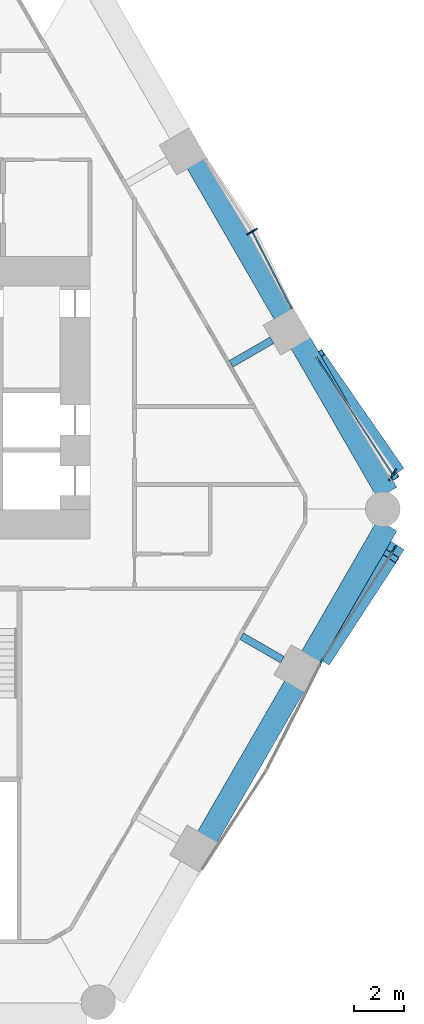
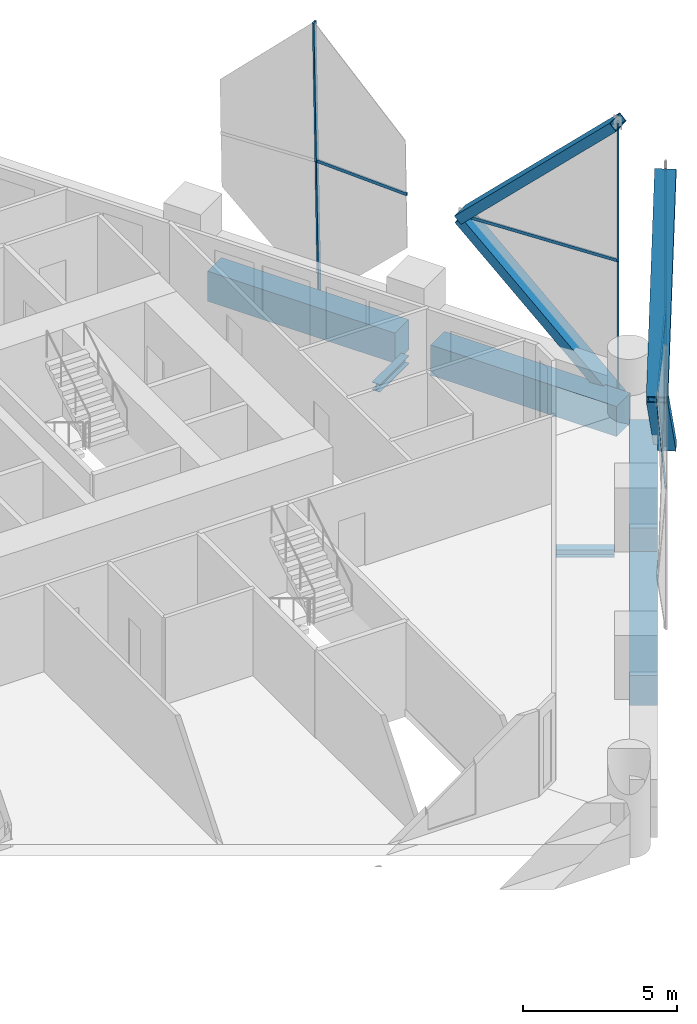
# One storey, part 6 of 16: 14 members, 6 beams, 4 elements without a shape of their own.
"""IFC4 building model written with IfcOpenShell, lengths in metres."""

import ifcopenshell
import ifcopenshell.guid

model = None  # the IFC model being written
_history = None  # IfcOwnerHistory: only IFC2X3 demands one
_inside = {}  # id of a spatial element -> (the spatial element, [elements in it])
_under = {}  # id of a project, library or spatial element -> (it, [spatial elements below it])
_declared = {}  # id of a project -> (the project, [libraries it declares])
_typed = {}  # id of a type object -> (the type object, [elements of that type])
_made_of = {}  # id of a material, layer set ... -> (it, [elements and type objects made of it])


def new_model(schema):
    """Start an empty IFC model of exactly this schema.

    Asked for "IFC4X3", IfcOpenShell would pick the latest addendum, in which some entities
    have other attributes; the version numbers below select the first issue.
    IFC2X3 requires an IfcOwnerHistory on every rooted entity: one is made here for all.
    """
    global model, _history
    if schema == "IFC4X3":
        model = ifcopenshell.file(schema_version=(4, 3, 0, 0))
    else:
        model = ifcopenshell.file(schema=schema)
    _inside.clear()
    _under.clear()
    _declared.clear()
    _typed.clear()
    _made_of.clear()
    _history = None
    if model.schema == "IFC2X3":
        org = make("IfcOrganization", Name="unknown")
        user = make(
            "IfcPersonAndOrganization",
            ThePerson=make("IfcPerson", FamilyName="unknown"),
            TheOrganization=org,
        )
        app = make(
            "IfcApplication",
            ApplicationDeveloper=org,
            Version="unknown",
            ApplicationFullName="unknown",
            ApplicationIdentifier="unknown",
        )
        _history = make(
            "IfcOwnerHistory",
            OwningUser=user,
            OwningApplication=app,
            ChangeAction="ADDED",
            CreationDate=0,
        )
    return model


def make(cls, **values):
    """One entity of the class cls with the attributes given. An attribute that is None is left unset."""
    return model.create_entity(
        cls, **{name: value for name, value in values.items() if value is not None}
    )


def rooted(cls, **values):
    """An entity with a GlobalId (a new one), such as an element, a storey or a relation."""
    return make(cls, GlobalId=ifcopenshell.guid.new(), OwnerHistory=_history, **values)


def si_unit(unit_type, name, prefix=None):
    """IfcSIUnit, for example si_unit("LENGTHUNIT", "METRE", prefix="MILLI")."""
    return make("IfcSIUnit", UnitType=unit_type, Prefix=prefix, Name=name)


def assignment(units):
    """IfcUnitAssignment: the units of a project."""
    return None if units is None else make("IfcUnitAssignment", Units=units)


def point(xyz):
    """IfcCartesianPoint."""
    return None if xyz is None else make("IfcCartesianPoint", Coordinates=xyz)


def direction(xyz):
    """IfcDirection."""
    return None if xyz is None else make("IfcDirection", DirectionRatios=xyz)


def frame(location, z_axis=None, x_axis=None):
    """IfcAxis2Placement3D, a coordinate frame: its origin and axes. An axis left out is left unset."""
    return make(
        "IfcAxis2Placement3D",
        Location=point(location),
        Axis=direction(z_axis),
        RefDirection=direction(x_axis),
    )


def frame_2d(location, x_axis=None):
    """IfcAxis2Placement2D, a coordinate frame in the plane: its origin and x axis."""
    return make(
        "IfcAxis2Placement2D", Location=point(location), RefDirection=direction(x_axis)
    )


def origin():
    """The frame at (0, 0, 0) with its axes left unset."""
    return frame((0.0, 0.0, 0.0))


def origin_2d():
    """The frame at (0, 0) in the plane with its x axis left unset."""
    return frame_2d((0.0, 0.0))


def place(relative_to, where):
    """IfcLocalPlacement: puts the frame where relative to a parent placement (None: the world)."""
    return make(
        "IfcLocalPlacement", PlacementRelTo=relative_to, RelativePlacement=where
    )


def context(
    kind, dimensions, precision=None, world=None, true_north=None, identifier=None
):
    """IfcGeometricRepresentationContext, for example the 3D "Model" context."""
    return make(
        "IfcGeometricRepresentationContext",
        ContextIdentifier=identifier,
        ContextType=kind,
        CoordinateSpaceDimension=dimensions,
        Precision=precision,
        WorldCoordinateSystem=world,
        TrueNorth=true_north,
    )


def subcontext(parent, identifier, kind, view, scale=None):
    """IfcGeometricRepresentationSubContext, for example "Body" below "Model"."""
    return make(
        "IfcGeometricRepresentationSubContext",
        ContextIdentifier=identifier,
        ContextType=kind,
        ParentContext=parent,
        TargetScale=scale,
        TargetView=view,
    )


def project(units=None, contexts=None):
    """IfcProject with its units and contexts."""
    return rooted(
        "IfcProject",
        Name="project",
        RepresentationContexts=contexts,
        UnitsInContext=assignment(units),
    )


def spatial(cls, under=None, at=None, **own):
    """A site, building, storey or space (cls), placed at a placement, below another one or the project."""
    s = rooted(cls, ObjectPlacement=at, **own)
    if under is not None:
        _under.setdefault(under.id(), (under, []))[1].append(s)
    return s


def profile(cls, at=None, kind="AREA", **sizes):
    """A parametric profile (cls). Its sizes go by their IFC names, for example OverallWidth=200.0."""
    return make(cls, ProfileType=kind, Position=at, **sizes)


def rectangle(**sizes):
    """IfcRectangleProfileDef."""
    return profile("IfcRectangleProfileDef", **sizes)


def hollow_rectangle(**sizes):
    """IfcRectangleHollowProfileDef."""
    return profile("IfcRectangleHollowProfileDef", **sizes)


def i_section(**sizes):
    """IfcIShapeProfileDef."""
    return profile("IfcIShapeProfileDef", **sizes)


def extrude(swept, where, along, depth):
    """IfcExtrudedAreaSolid: the profile swept, set in the frame where, extruded along a direction by depth."""
    return make(
        "IfcExtrudedAreaSolid",
        SweptArea=swept,
        Position=where,
        ExtrudedDirection=direction(along),
        Depth=depth,
    )


def shape(context_of_items, identifier, shape_type, items):
    """IfcShapeRepresentation: the items that make up one representation, for example the "Body"."""
    return make(
        "IfcShapeRepresentation",
        ContextOfItems=context_of_items,
        RepresentationIdentifier=identifier,
        RepresentationType=shape_type,
        Items=items,
    )


def material(Name=None, Category=None):
    """IfcMaterial."""
    return make("IfcMaterial", Name=Name, Category=Category)


def material_profile(
    of_material, cross_section, Name=None, Category=None, Priority=None
):
    """IfcMaterialProfile: a cross section and its material."""
    return make(
        "IfcMaterialProfile",
        Name=Name,
        Material=of_material,
        Profile=cross_section,
        Priority=Priority,
        Category=Category,
    )


def profile_set(profiles, Name=None, composite=None):
    """IfcMaterialProfileSet."""
    return make(
        "IfcMaterialProfileSet",
        Name=Name,
        MaterialProfiles=profiles,
        CompositeProfile=composite,
    )


def made_of(thing, what):
    """Note that an element or type object is made of a material, layer set ...; save() writes the relation."""
    if what is not None:
        _made_of.setdefault(what.id(), (what, []))[1].append(thing)
    return thing


def type_object(cls, material=None, **own):
    """A type object (cls), such as IfcWallType, which elements share."""
    return made_of(rooted(cls, **own), material)


def element(
    cls,
    number,
    at=None,
    inside=None,
    cuts=None,
    type_object=None,
    material=None,
    context=None,
    identifier="Body",
    shape_type=None,
    held_by="IfcProductDefinitionShape",
    body=None,
    shapes=None,
    **own,
):
    """One element of the class cls, such as IfcWall. Its Tag is "e" and its number.

    at: its placement. inside: the storey or other place that contains it. cuts: it is an
    opening in that element (IfcRelVoidsElement). A single representation is given by context,
    identifier, shape_type and body (its items); several are given by shapes. held_by: the class
    of the entity that holds the representations. save() writes the other relations.
    """
    e = rooted(cls, Tag="e%d" % number, ObjectPlacement=at, **own)
    if body is not None:
        shapes = [shape(context, identifier, shape_type, body)]
    if shapes is not None:
        e.Representation = make(held_by, Representations=shapes)
    if inside is not None:
        _inside.setdefault(inside.id(), (inside, []))[1].append(e)
    if cuts is not None:
        rooted(
            "IfcRelVoidsElement", RelatingBuildingElement=cuts, RelatedOpeningElement=e
        )
    if type_object is not None:
        _typed.setdefault(type_object.id(), (type_object, []))[1].append(e)
    return made_of(e, material)


def aggregate(whole, parts):
    """IfcRelAggregates: a whole, such as a stair, and the parts it consists of."""
    return rooted("IfcRelAggregates", RelatingObject=whole, RelatedObjects=parts)


def save(model, path):
    """Write the relations noted so far, then the file.

    IfcRelAggregates (storeys below a building ...), IfcRelContainedInSpatialStructure (elements
    in a storey), IfcRelDefinesByType, IfcRelAssociatesMaterial and IfcRelDeclares: one each for
    every whole, place, type object, material and project.
    """
    for whole, parts in _under.values():
        aggregate(whole, parts)
    for where, things in _inside.values():
        rooted(
            "IfcRelContainedInSpatialStructure",
            RelatedElements=things,
            RelatingStructure=where,
        )
    for kind, things in _typed.values():
        rooted("IfcRelDefinesByType", RelatedObjects=things, RelatingType=kind)
    for what, things in _made_of.values():
        rooted("IfcRelAssociatesMaterial", RelatedObjects=things, RelatingMaterial=what)
    for by, libraries in _declared.values():
        rooted("IfcRelDeclares", RelatingContext=by, RelatedDefinitions=libraries)
    model.write(path)


model = new_model("IFC4")

# Units and contexts
model_context = context("Model", 3, precision=1e-05, world=origin(), true_north=direction((0.0, 1.0)))
body_context = subcontext(model_context, "Body", "Model", "MODEL_VIEW")
ifc_project = project(units=[si_unit("LENGTHUNIT", "METRE"), si_unit("AREAUNIT", "SQUARE_METRE"), si_unit("VOLUMEUNIT", "CUBIC_METRE"), si_unit("PLANEANGLEUNIT", "RADIAN"), si_unit("MASSUNIT", "GRAM", prefix="KILO")], contexts=[model_context])

# Site, building, storey
site_placement = place(None, origin())
site = spatial("IfcSite", under=ifc_project, at=site_placement, CompositionType="ELEMENT")
building_placement = place(site_placement, origin())
building = spatial("IfcBuilding", under=site, at=building_placement, Name="Ostrander Bayou Hotel Tower", CompositionType="ELEMENT")
storey_placement = place(building_placement, frame((0.0, 0.0, 58.0)))
storey = spatial("IfcBuildingStorey", under=building, at=storey_placement, Name="L14", CompositionType="ELEMENT", Elevation=58.0)

# Curtain wall, members
ifc_material_1 = material(Name="Aluminium and clear glass", Category="aluminium")
curtain_wall_type = type_object("IfcCurtainWallType", Name="CW-LAT lattice glazing", PredefinedType="NOTDEFINED", material=ifc_material_1)
curtain_wall_1_placement = place(storey_placement, origin())
curtain_wall_1 = element("IfcCurtainWall", 1, at=curtain_wall_1_placement, inside=storey, type_object=curtain_wall_type, Name="CW-LAT L14 SE 1", PredefinedType="NOTDEFINED")
ifc_material_2 = material(Name="Aluminium", Category="aluminium")
ifc_material_profile_1 = material_profile(ifc_material_2, hollow_rectangle(XDim=0.06005859375, YDim=0.159912109375, WallThickness=0.00390625, at=origin_2d()))
ifc_profile_set_1 = profile_set([ifc_material_profile_1], Name="Aluminium")
member_type_1 = type_object("IfcMemberType", Name="CW-LA mullion 60 x 160 mm", PredefinedType="MULLION", material=ifc_profile_set_1)
member_1_placement = place(storey_placement, frame((24.304931640625, -2.04248046875, -0.60009765625), z_axis=(-0.01678741147, -0.029063477222, 0.999436589838), x_axis=(0.865927271564, -0.500169931485, 0.0)))
member_1 = element("IfcMember", 2, at=member_1_placement, type_object=member_type_1, Name="CW-LAT mullion 5", PredefinedType="MULLION", context=body_context, shape_type="SweptSolid", body=[
    extrude(hollow_rectangle(XDim=0.06005859375, YDim=0.159912109375, WallThickness=0.00390625, at=origin_2d()), origin(), (0.0, 0.0, 1.0), 5.628173828125),
])
member_2_placement = place(storey_placement, frame((24.21044921875, -2.2060546875, 5.02490234375), z_axis=(-0.016744024198, -0.029106839991, 0.999436055743), x_axis=(0.866808596231, -0.498641010648, 0.0)))
member_2 = element("IfcMember", 3, at=member_2_placement, type_object=member_type_1, Name="CW-LAT mullion 6", PredefinedType="MULLION", context=body_context, shape_type="SweptSolid", body=[
    extrude(hollow_rectangle(XDim=0.06005859375, YDim=0.159912109375, WallThickness=0.00390625, at=origin_2d()), origin(), (0.0, 0.0, 1.0), 5.628173828125),
])
aggregate(curtain_wall_1, [member_1, member_2])

curtain_wall_2_placement = place(storey_placement, origin())
curtain_wall_2 = element("IfcCurtainWall", 4, at=curtain_wall_2_placement, inside=storey, type_object=curtain_wall_type, Name="CW-LAT L14 NE 1", PredefinedType="NOTDEFINED")
member_3_placement = place(storey_placement, frame((24.304931640625, 1.060546875, -0.60009765625), z_axis=(-0.01678741147, -0.029063477222, 0.999436589838), x_axis=(0.865927271564, -0.500169931485, 0.0)))
member_3 = element("IfcMember", 5, at=member_3_placement, type_object=member_type_1, Name="CW-LAT mullion 1", PredefinedType="MULLION", context=body_context, shape_type="SweptSolid", body=[
    extrude(hollow_rectangle(XDim=0.06005859375, YDim=0.159912109375, WallThickness=0.00390625, at=origin_2d()), origin(), (0.0, 0.0, 1.0), 5.628173828125),
])
member_4_placement = place(storey_placement, frame((24.21044921875, 0.89697265625, 5.02490234375), z_axis=(-0.016744045323, -0.029063498359, 0.999437316698), x_axis=(0.866486855147, -0.499199889682, 0.0)))
member_4 = element("IfcMember", 6, at=member_4_placement, type_object=member_type_1, Name="CW-LAT mullion 2", PredefinedType="MULLION", context=body_context, shape_type="SweptSolid", body=[
    extrude(hollow_rectangle(XDim=0.06005859375, YDim=0.159912109375, WallThickness=0.00390625, at=origin_2d()), origin(), (0.0, 0.0, 1.0), 5.628173828125),
])
member_5_placement = place(storey_placement, frame((18.68798828125, 10.78955078125, -0.60009765625), z_axis=(-0.025162980484, -0.014533790452, 0.999577707509), x_axis=(0.500153222552, -0.865936922628, 0.0)))
member_5 = element("IfcMember", 7, at=member_5_placement, type_object=member_type_1, Name="CW-LAT mullion 4", PredefinedType="MULLION", context=body_context, shape_type="SweptSolid", body=[
    extrude(hollow_rectangle(XDim=0.06005859375, YDim=0.159912109375, WallThickness=0.00390625, at=origin_2d()), origin(), (0.0, 0.0, 1.0), 5.62744140625),
])
member_6_placement = place(storey_placement, frame((18.54638671875, 10.707763671875, 5.02490234375), z_axis=(-0.025206337392, -0.014533774572, 0.999576615349), x_axis=(0.499507300835, -0.86630967697, 0.0)))
member_6 = element("IfcMember", 8, at=member_6_placement, type_object=member_type_1, Name="CW-LAT mullion 5", PredefinedType="MULLION", context=body_context, shape_type="SweptSolid", body=[
    extrude(hollow_rectangle(XDim=0.06005859375, YDim=0.159912109375, WallThickness=0.00390625, at=origin_2d()), origin(), (0.0, 0.0, 1.0), 5.62744140625),
])
aggregate(curtain_wall_2, [member_3, member_4, member_5, member_6])

curtain_wall_3_placement = place(storey_placement, origin())
curtain_wall_3 = element("IfcCurtainWall", 9, at=curtain_wall_3_placement, inside=storey, type_object=curtain_wall_type, Name="CW-LAT L14 SE 2", PredefinedType="NOTDEFINED")
ifc_material_3 = material(Name="Aluminium", Category="aluminium")
ifc_material_profile_2 = material_profile(ifc_material_3, hollow_rectangle(XDim=0.06005859375, YDim=0.1201171875, WallThickness=0.00390625, at=origin_2d()))
ifc_profile_set_2 = profile_set([ifc_material_profile_2], Name="Aluminium")
member_type_2 = type_object("IfcMemberType", Name="CW-LA transom 60 x 120 mm", PredefinedType="USERDEFINED", material=ifc_profile_set_2)
member_7_placement = place(storey_placement, frame((19.11328125, -11.034912109375, 5.02490234375), z_axis=(0.453134594413, 0.891442112168, 0.0), x_axis=(-0.891442112168, 0.453134594413, 0.0)))
member_7 = element("IfcMember", 10, at=member_7_placement, type_object=member_type_2, Name="CW-LAT transom 4", ObjectType="TRANSOM", PredefinedType="USERDEFINED", context=body_context, shape_type="SweptSolid", body=[
    extrude(hollow_rectangle(XDim=0.06005859375, YDim=0.1201171875, WallThickness=0.00390625, at=origin_2d()), origin(), (0.0, 0.0, 1.0), 5.1044921875),
])
member_8_placement = place(storey_placement, frame((24.21044921875, -2.2060546875, 5.02490234375), z_axis=(-0.545429724514, -0.838156557939, 0.0), x_axis=(0.838156557939, -0.545429724514, 0.0)))
member_8 = element("IfcMember", 11, at=member_8_placement, type_object=member_type_2, Name="CW-LAT transom 7", ObjectType="TRANSOM", PredefinedType="USERDEFINED", context=body_context, shape_type="SweptSolid", body=[
    extrude(hollow_rectangle(XDim=0.06005859375, YDim=0.1201171875, WallThickness=0.00390625, at=origin_2d()), origin(), (0.0, 0.0, 1.0), 5.306884765625),
])
aggregate(curtain_wall_3, [member_7, member_8])

curtain_wall_4_placement = place(storey_placement, origin())
curtain_wall_4 = element("IfcCurtainWall", 12, at=curtain_wall_4_placement, inside=storey, type_object=curtain_wall_type, Name="CW-LAT L14 NE 2", PredefinedType="NOTDEFINED")
member_9_placement = place(storey_placement, frame((24.21044921875, 0.89697265625, 5.02490234375), z_axis=(-0.544266437943, 0.838912417675, 0.0), x_axis=(-0.838912417675, -0.544266437943, 0.0)))
member_9 = element("IfcMember", 13, at=member_9_placement, type_object=member_type_2, Name="CW-LAT transom 3", ObjectType="TRANSOM", PredefinedType="USERDEFINED", context=body_context, shape_type="SweptSolid", body=[
    extrude(hollow_rectangle(XDim=0.06005859375, YDim=0.1201171875, WallThickness=0.00390625, at=origin_2d()), origin(), (0.0, 0.0, 1.0), 5.671630859375),
])
member_10_placement = place(storey_placement, frame((18.54638671875, 10.707763671875, 5.02490234375), z_axis=(0.454369812683, -0.890813152868, 0.0), x_axis=(0.890813152868, 0.454369812683, 0.0)))
member_10 = element("IfcMember", 14, at=member_10_placement, type_object=member_type_2, Name="CW-LAT transom 6", ObjectType="TRANSOM", PredefinedType="USERDEFINED", context=body_context, shape_type="SweptSolid", body=[
    extrude(hollow_rectangle(XDim=0.06005859375, YDim=0.1201171875, WallThickness=0.00390625, at=origin_2d()), origin(), (0.0, 0.0, 1.0), 3.5),
])
aggregate(curtain_wall_4, [member_9, member_10])

# Beams
ifc_material_4 = material(Name="Steel ASTM A992", Category="steel")
ifc_material_profile_3 = material_profile(ifc_material_4, i_section(OverallWidth=0.3046875, OverallDepth=0.307861328125, WebThickness=0.010009765625, FlangeThickness=0.015380859375, at=origin_2d()))
ifc_profile_set_3 = profile_set([ifc_material_profile_3], Name="Steel ASTM A992")
beam_type_1 = type_object("IfcBeamType", Name="LB1 loggia bracket W12x65", PredefinedType="BEAM", material=ifc_profile_set_3)
beam_1_placement = place(storey_placement, frame((19.7646484375, -6.566650390625, -0.453857421875), z_axis=(-0.866044365799, 0.499967155389, 0.0), x_axis=(-0.499967155389, -0.866044365799, 0.0)))
element("IfcBeam", 15, at=beam_1_placement, inside=storey, type_object=beam_type_1, Name="LB1 L14 SE2", PredefinedType="BEAM", context=body_context, shape_type="SweptSolid", body=[
    extrude(i_section(OverallWidth=0.3046875, OverallDepth=0.307861328125, WebThickness=0.010009765625, FlangeThickness=0.015380859375, at=origin_2d()), origin(), (0.0, 0.0, 1.0), 1.900146484375),
])
beam_2_placement = place(storey_placement, frame((19.33935546875, 6.3212890625, -0.453857421875), z_axis=(-0.865956592479, -0.500119165741, 0.0), x_axis=(0.500119165741, -0.865956592479, 0.0)))
element("IfcBeam", 16, at=beam_2_placement, inside=storey, type_object=beam_type_1, Name="LB1 L14 NE1", PredefinedType="BEAM", context=body_context, shape_type="SweptSolid", body=[
    extrude(i_section(OverallWidth=0.3046875, OverallDepth=0.307861328125, WebThickness=0.010009765625, FlangeThickness=0.015380859375, at=origin_2d()), origin(), (0.0, 0.0, 1.0), 1.89990234375),
])

# Members
ifc_material_5 = material(Name="Steel ASTM A572 Gr 50", Category="steel")
ifc_material_profile_4 = material_profile(ifc_material_5, hollow_rectangle(XDim=0.699951171875, YDim=0.35009765625, WallThickness=0.02490234375, at=origin_2d()))
ifc_profile_set_4 = profile_set([ifc_material_profile_4], Name="Steel ASTM A572 Gr 50")
member_type_3 = type_object("IfcMemberType", Name="LT1 lattice member box 700 x 350 x 25 mm", PredefinedType="BRACE", material=ifc_profile_set_4)
member_11_placement = place(storey_placement, frame((21.42626953125, -6.484619140625, 5.02490234375), z_axis=(0.372691399466, 0.575109830658, -0.728251195293), x_axis=(-0.839196254934, 0.543828691505, 0.0)))
element("IfcMember", 17, at=member_11_placement, inside=storey, type_object=member_type_3, Name="LT1 L14 SE 1", PredefinedType="BRACE", context=body_context, shape_type="SweptSolid", body=[
    extrude(hollow_rectangle(XDim=0.699951171875, YDim=0.35009765625, WallThickness=0.02490234375, at=origin_2d()), origin(), (0.0, 0.0, 1.0), 7.723876953125),
])
member_12_placement = place(storey_placement, frame((21.42626953125, -6.484619140625, 5.02490234375), z_axis=(0.360077811441, 0.55080336123, 0.752967215067), x_axis=(-0.837013355553, 0.547182458258, 0.0)))
element("IfcMember", 18, at=member_12_placement, inside=storey, type_object=member_type_3, Name="LT1 L14 SE 2", PredefinedType="BRACE", context=body_context, shape_type="SweptSolid", body=[
    extrude(hollow_rectangle(XDim=0.699951171875, YDim=0.35009765625, WallThickness=0.02490234375, at=origin_2d()), origin(), (0.0, 0.0, 1.0), 7.470458984375),
])
member_13_placement = place(storey_placement, frame((21.12353515625, 5.655029296875, 5.02490234375), z_axis=(0.401228708939, -0.579443102872, -0.70940905947), x_axis=(0.822141861238, 0.569282671438, 0.0)))
element("IfcMember", 19, at=member_13_placement, inside=storey, type_object=member_type_3, Name="LT1 L14 NE 1", PredefinedType="BRACE", context=body_context, shape_type="SweptSolid", body=[
    extrude(hollow_rectangle(XDim=0.699951171875, YDim=0.35009765625, WallThickness=0.02490234375, at=origin_2d()), origin(), (0.0, 0.0, 1.0), 7.92919921875),
])
member_14_placement = place(storey_placement, frame((21.12353515625, 5.655029296875, 5.02490234375), z_axis=(0.371713120223, -0.611304029252, 0.698667832431), x_axis=(0.854437457825, 0.519554261522, 0.0)))
element("IfcMember", 20, at=member_14_placement, inside=storey, type_object=member_type_3, Name="LT1 L14 NE 2", PredefinedType="BRACE", context=body_context, shape_type="SweptSolid", body=[
    extrude(hollow_rectangle(XDim=0.699951171875, YDim=0.35009765625, WallThickness=0.02490234375, at=origin_2d()), origin(), (0.0, 0.0, 1.0), 8.051025390625),
])

# Beams
ifc_material_6 = material(Name="Concrete f'c 70 MPa", Category="concrete")
ifc_material_profile_5 = material_profile(ifc_material_6, rectangle(XDim=0.89990234375, YDim=1.199951171875, at=origin_2d()))
ifc_profile_set_5 = profile_set([ifc_material_profile_5], Name="Concrete f'c 70 MPa")
beam_type_2 = type_object("IfcBeamType", Name="SP1 spandrel beam 900 x 1200 mm f'c 70 MPa", PredefinedType="SPANDREL", material=ifc_profile_set_5)
beam_3_placement = place(storey_placement, frame((16.726806640625, -13.72802734375, -0.60009765625), z_axis=(0.499997206141, 0.866027016814, 0.0), x_axis=(-0.866027016814, 0.499997206141, 0.0)))
element("IfcBeam", 21, at=beam_3_placement, inside=storey, type_object=beam_type_2, Name="SP1 L14 SE-2", PredefinedType="SPANDREL", context=body_context, shape_type="SweptSolid", body=[
    extrude(rectangle(XDim=0.89990234375, YDim=1.199951171875, at=origin_2d()), origin(), (0.0, 0.0, 1.0), 7.05078125),
])
beam_4_placement = place(storey_placement, frame((20.92236328125, -6.46142578125, -0.60009765625), z_axis=(0.500007141444, 0.86602128063, 0.0), x_axis=(-0.86602128063, 0.500007141444, 0.0)))
element("IfcBeam", 22, at=beam_4_placement, inside=storey, type_object=beam_type_2, Name="SP1 L14 SE-3", PredefinedType="SPANDREL", context=body_context, shape_type="SweptSolid", body=[
    extrude(rectangle(XDim=0.89990234375, YDim=1.199951171875, at=origin_2d()), origin(), (0.0, 0.0, 1.0), 6.13671875),
])
beam_5_placement = place(storey_placement, frame((23.99072265625, 0.1650390625, -0.60009765625), z_axis=(-0.499983583635, 0.86603488157, 0.0), x_axis=(-0.86603488157, -0.499983583635, 0.0)))
element("IfcBeam", 23, at=beam_5_placement, inside=storey, type_object=beam_type_2, Name="SP1 L14 NE-1", PredefinedType="SPANDREL", context=body_context, shape_type="SweptSolid", body=[
    extrude(rectangle(XDim=0.89990234375, YDim=1.199951171875, at=origin_2d()), origin(), (0.0, 0.0, 1.0), 6.987060546875),
])
beam_6_placement = place(storey_placement, frame((19.8271484375, 7.37646484375, -0.60009765625), z_axis=(-0.499997206141, 0.866027016814, 0.0), x_axis=(-0.866027016814, -0.499997206141, 0.0)))
element("IfcBeam", 24, at=beam_6_placement, inside=storey, type_object=beam_type_2, Name="SP1 L14 NE-2", PredefinedType="SPANDREL", context=body_context, shape_type="SweptSolid", body=[
    extrude(rectangle(XDim=0.89990234375, YDim=1.199951171875, at=origin_2d()), origin(), (0.0, 0.0, 1.0), 7.05078125),
])

save(model, "model.ifc")
